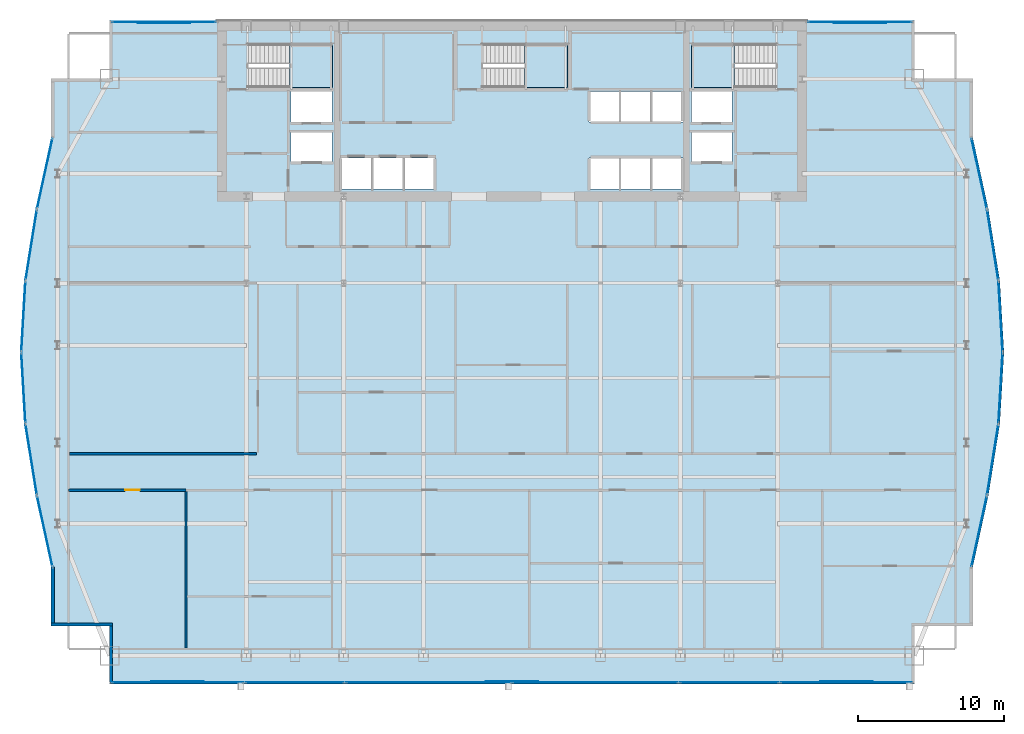
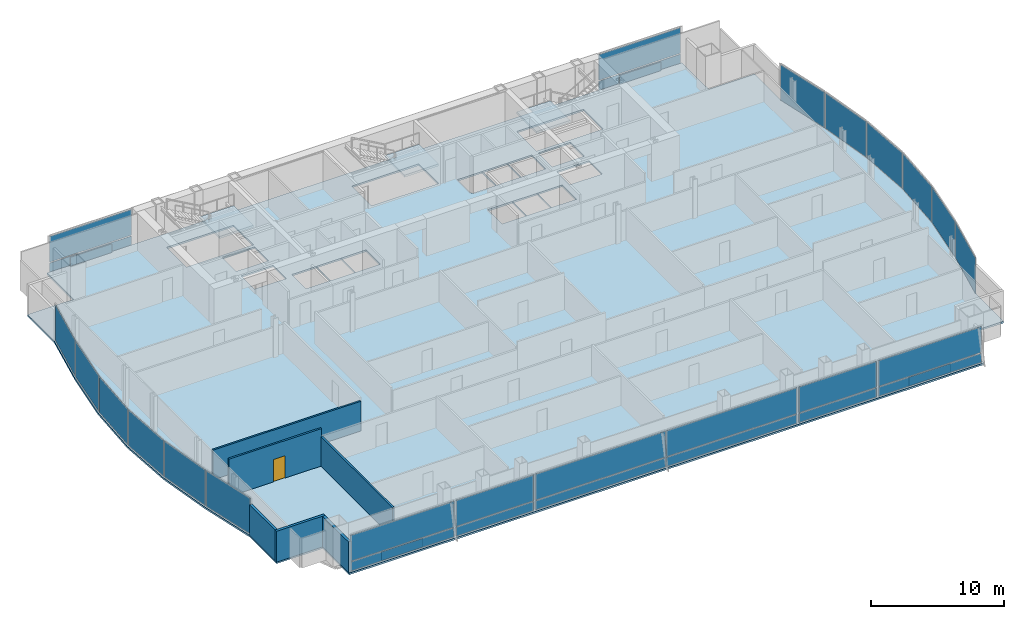
# One storey, part 23 of 29: 33 plates, 6 walls, 4 slabs, 1 door, 1 opening, 22 elements without a shape of their own.
"""IFC4 building model written with IfcOpenShell, lengths in metres."""

from ifc_helpers import new_model, si_unit, direction, frame, frame_2d, origin, origin_2d, place, context, subcontext, project, spatial, polyline, rectangle, outline, extrude, material, layer, layer_set, type_object, element, fill, aggregate, save


model = new_model("IFC4")

# Units and contexts
model_context = context("Model", 3, precision=1e-05, world=origin(), true_north=direction((0.0, 1.0)))
body_context = subcontext(model_context, "Body", "Model", "MODEL_VIEW")
ifc_project = project(units=[si_unit("LENGTHUNIT", "METRE"), si_unit("AREAUNIT", "SQUARE_METRE"), si_unit("VOLUMEUNIT", "CUBIC_METRE"), si_unit("PLANEANGLEUNIT", "RADIAN"), si_unit("MASSUNIT", "GRAM", prefix="KILO")], contexts=[model_context])

# Site, building, storey
site_placement = place(None, origin())
site = spatial("IfcSite", under=ifc_project, at=site_placement, CompositionType="ELEMENT")
building_placement = place(site_placement, origin())
building = spatial("IfcBuilding", under=site, at=building_placement, Name="Khoronbel Lancet Exchange", CompositionType="ELEMENT")
storey_placement = place(building_placement, frame((0.0, 0.0, 161.39990234375)))
storey = spatial("IfcBuildingStorey", under=building, at=storey_placement, Name="L40", CompositionType="ELEMENT", Elevation=161.39990234375)

# Curtain wall, plate
ifc_material_1 = material(Name="Low-E Solar Control Insulating Glass", Category="glass")
curtain_wall_type_1 = type_object("IfcCurtainWallType", Name="CW-4", PredefinedType="NOTDEFINED", material=ifc_material_1)
curtain_wall_1_placement = place(storey_placement, origin())
curtain_wall_1 = element("IfcCurtainWall", 1, at=curtain_wall_1_placement, inside=storey, type_object=curtain_wall_type_1, Name="Unitised curtain wall CW-L40-E05", PredefinedType="NOTDEFINED")
ifc_material_2 = material(Name="Bronze-Anodised Aluminium 6063-T6", Category="aluminium")
ifc_layer_1 = layer(ifc_material_2, 0.050048828125, Name="Bronze-Anodised Aluminium 6063-T6")
ifc_layer_set_1 = layer_set([ifc_layer_1], Name="Bronze-Anodised Aluminium 6063-T6")
plate_type_1 = type_object("IfcPlateType", Name="PLT-CSP1", PredefinedType="SHEET", material=ifc_layer_set_1)
plate_1_placement = place(storey_placement, frame((3.470458984375, 23.588134765625, 0.085205078125), z_axis=(0.0, 0.0, 1.0), x_axis=(-0.158058742835, 0.987429710822, 0.0)))
plate_1 = element("IfcPlate", 2, at=plate_1_placement, type_object=plate_type_1, Name="CW4 panel 1.1", PredefinedType="CURTAIN_PANEL", context=body_context, shape_type="SweptSolid", body=[
    extrude(rectangle(XDim=4.822265625, YDim=0.0380859375, at=origin_2d()), origin(), (0.0, 0.0, 1.0), 3.27001953125),
])
aggregate(curtain_wall_1, [plate_1])

curtain_wall_2_placement = place(storey_placement, origin())
curtain_wall_2 = element("IfcCurtainWall", 3, at=curtain_wall_2_placement, inside=storey, type_object=curtain_wall_type_1, Name="Unitised curtain wall CW-L40-E06", PredefinedType="NOTDEFINED")
plate_2_placement = place(storey_placement, frame((2.933837890625, 28.49658203125, 0.085205078125), z_axis=(0.0, 0.0, 1.0), x_axis=(-0.058470378441, 0.998289143908, 0.0)))
plate_2 = element("IfcPlate", 4, at=plate_2_placement, type_object=plate_type_1, Name="CW4 panel 1.1", PredefinedType="CURTAIN_PANEL", context=body_context, shape_type="SweptSolid", body=[
    extrude(rectangle(XDim=4.765380859375, YDim=0.0380859375, at=origin_2d()), origin(), (0.0, 0.0, 1.0), 3.27001953125),
])
aggregate(curtain_wall_2, [plate_2])

curtain_wall_3_placement = place(storey_placement, origin())
curtain_wall_3 = element("IfcCurtainWall", 5, at=curtain_wall_3_placement, inside=storey, type_object=curtain_wall_type_1, Name="Unitised curtain wall CW-L40-E07", PredefinedType="NOTDEFINED")
plate_3_placement = place(storey_placement, frame((2.933837890625, 33.403564453125, 0.085205078125), z_axis=(0.0, 0.0, 1.0), x_axis=(0.058470378441, 0.998289143908, 0.0)))
plate_3 = element("IfcPlate", 6, at=plate_3_placement, type_object=plate_type_1, Name="CW4 panel 1.1", PredefinedType="CURTAIN_PANEL", context=body_context, shape_type="SweptSolid", body=[
    extrude(rectangle(XDim=4.765380859375, YDim=0.0380859375, at=origin_2d()), origin(), (0.0, 0.0, 1.0), 3.27001953125),
])
aggregate(curtain_wall_3, [plate_3])

curtain_wall_4_placement = place(storey_placement, origin())
curtain_wall_4 = element("IfcCurtainWall", 7, at=curtain_wall_4_placement, inside=storey, type_object=curtain_wall_type_1, Name="Unitised curtain wall CW-L40-E08", PredefinedType="NOTDEFINED")
plate_4_placement = place(storey_placement, frame((3.470458984375, 38.311767578125, 0.085205078125), z_axis=(0.0, 0.0, 1.0), x_axis=(0.158058742835, 0.987429710822, 0.0)))
plate_4 = element("IfcPlate", 8, at=plate_4_placement, type_object=plate_type_1, Name="CW4 panel 1.1", PredefinedType="CURTAIN_PANEL", context=body_context, shape_type="SweptSolid", body=[
    extrude(rectangle(XDim=4.822265625, YDim=0.0380859375, at=origin_2d()), origin(), (0.0, 0.0, 1.0), 3.27001953125),
])
aggregate(curtain_wall_4, [plate_4])

curtain_wall_type_2 = type_object("IfcCurtainWallType", Name="CW-3", PredefinedType="NOTDEFINED", material=ifc_material_1)
curtain_wall_5_placement = place(storey_placement, origin())
curtain_wall_5 = element("IfcCurtainWall", 9, at=curtain_wall_5_placement, inside=storey, type_object=curtain_wall_type_2, Name="Unitised curtain wall CW-L40-NWFLK", PredefinedType="NOTDEFINED")
plate_5_placement = place(storey_placement, frame((12.580078125, 53.550048828125, 0.05029296875), z_axis=(0.0, 0.0, 1.0), x_axis=(-1.0, 0.0, 0.0)))
plate_5 = element("IfcPlate", 10, at=plate_5_placement, type_object=plate_type_1, Name="Insulated bronze spandrel cassette CW-L40-NWFLK", PredefinedType="SHEET", context=body_context, shape_type="SweptSolid", body=[
    extrude(rectangle(XDim=3.60009765625, YDim=0.050048828125, at=origin_2d()), origin(), (0.0, 0.0, 1.0), 0.800048828125),
])

curtain_wall_6_placement = place(storey_placement, origin())
curtain_wall_6 = element("IfcCurtainWall", 11, at=curtain_wall_6_placement, inside=storey, type_object=curtain_wall_type_2, Name="Unitised curtain wall CW-L40-NEFLK", PredefinedType="NOTDEFINED")
plate_6_placement = place(storey_placement, frame((60.320068359375, 53.550048828125, 0.05029296875), z_axis=(0.0, 0.0, 1.0), x_axis=(-1.0, 0.0, 0.0)))
plate_6 = element("IfcPlate", 12, at=plate_6_placement, type_object=plate_type_1, Name="Insulated bronze spandrel cassette CW-L40-NEFLK", PredefinedType="SHEET", context=body_context, shape_type="SweptSolid", body=[
    extrude(rectangle(XDim=3.60009765625, YDim=0.050048828125, at=origin_2d()), origin(), (0.0, 0.0, 1.0), 0.800048828125),
])

curtain_wall_7_placement = place(storey_placement, origin())
curtain_wall_7 = element("IfcCurtainWall", 13, at=curtain_wall_7_placement, inside=storey, type_object=curtain_wall_type_1, Name="Unitised curtain wall CW-L40-E18", PredefinedType="NOTDEFINED")
plate_7_placement = place(storey_placement, frame((69.429443359375, 38.311767578125, 0.085205078125), z_axis=(0.0, 0.0, 1.0), x_axis=(0.158058742835, -0.987429710822, 0.0)))
plate_7 = element("IfcPlate", 14, at=plate_7_placement, type_object=plate_type_1, Name="CW4 panel 1.1", PredefinedType="CURTAIN_PANEL", context=body_context, shape_type="SweptSolid", body=[
    extrude(rectangle(XDim=4.822265625, YDim=0.0380859375, at=origin_2d()), origin(), (0.0, 0.0, 1.0), 3.27001953125),
])
aggregate(curtain_wall_7, [plate_7])

curtain_wall_8_placement = place(storey_placement, origin())
curtain_wall_8 = element("IfcCurtainWall", 15, at=curtain_wall_8_placement, inside=storey, type_object=curtain_wall_type_1, Name="Unitised curtain wall CW-L40-E19", PredefinedType="NOTDEFINED")
plate_8_placement = place(storey_placement, frame((69.966064453125, 33.403564453125, 0.085205078125), z_axis=(0.0, 0.0, 1.0), x_axis=(0.058470378441, -0.998289143908, 0.0)))
plate_8 = element("IfcPlate", 16, at=plate_8_placement, type_object=plate_type_1, Name="CW4 panel 1.1", PredefinedType="CURTAIN_PANEL", context=body_context, shape_type="SweptSolid", body=[
    extrude(rectangle(XDim=4.765380859375, YDim=0.0380859375, at=origin_2d()), origin(), (0.0, 0.0, 1.0), 3.27001953125),
])
aggregate(curtain_wall_8, [plate_8])

curtain_wall_9_placement = place(storey_placement, origin())
curtain_wall_9 = element("IfcCurtainWall", 17, at=curtain_wall_9_placement, inside=storey, type_object=curtain_wall_type_1, Name="Unitised curtain wall CW-L40-E20", PredefinedType="NOTDEFINED")
plate_9_placement = place(storey_placement, frame((69.966064453125, 28.49658203125, 0.085205078125), z_axis=(0.0, 0.0, 1.0), x_axis=(-0.058470378441, -0.998289143908, 0.0)))
plate_9 = element("IfcPlate", 18, at=plate_9_placement, type_object=plate_type_1, Name="CW4 panel 1.1", PredefinedType="CURTAIN_PANEL", context=body_context, shape_type="SweptSolid", body=[
    extrude(rectangle(XDim=4.765380859375, YDim=0.0380859375, at=origin_2d()), origin(), (0.0, 0.0, 1.0), 3.27001953125),
])
aggregate(curtain_wall_9, [plate_9])

curtain_wall_10_placement = place(storey_placement, origin())
curtain_wall_10 = element("IfcCurtainWall", 19, at=curtain_wall_10_placement, inside=storey, type_object=curtain_wall_type_1, Name="Unitised curtain wall CW-L40-E21", PredefinedType="NOTDEFINED")
plate_10_placement = place(storey_placement, frame((69.429443359375, 23.588134765625, 0.085205078125), z_axis=(0.0, 0.0, 1.0), x_axis=(-0.158058742835, -0.987429710822, 0.0)))
plate_10 = element("IfcPlate", 20, at=plate_10_placement, type_object=plate_type_1, Name="CW4 panel 1.1", PredefinedType="CURTAIN_PANEL", context=body_context, shape_type="SweptSolid", body=[
    extrude(rectangle(XDim=4.822265625, YDim=0.0380859375, at=origin_2d()), origin(), (0.0, 0.0, 1.0), 3.27001953125),
])
aggregate(curtain_wall_10, [plate_10])

curtain_wall_11_placement = place(storey_placement, origin())
curtain_wall_11 = element("IfcCurtainWall", 21, at=curtain_wall_11_placement, inside=storey, type_object=curtain_wall_type_2, Name="Unitised curtain wall CW-L40-SWV", PredefinedType="NOTDEFINED")
plate_11_placement = place(storey_placement, frame((13.52001953125, 8.35009765625, 0.05029296875), z_axis=(0.0, 0.0, 1.0), x_axis=(1.0, 0.0, 0.0)))
plate_11 = element("IfcPlate", 22, at=plate_11_placement, type_object=plate_type_1, Name="Insulated bronze spandrel cassette CW-L40-SWV", PredefinedType="SHEET", context=body_context, shape_type="SweptSolid", body=[
    extrude(rectangle(XDim=3.60009765625, YDim=0.050048828125, at=origin_2d()), origin(), (0.0, 0.0, 1.0), 0.800048828125),
])

# Curtain wall, plates
curtain_wall_12_placement = place(storey_placement, origin())
curtain_wall_12 = element("IfcCurtainWall", 23, at=curtain_wall_12_placement, inside=storey, type_object=curtain_wall_type_2, Name="Unitised curtain wall CW-L40-SWB", PredefinedType="NOTDEFINED")
plate_12_placement = place(storey_placement, frame((21.550048828125, 8.2900390625, 0.0849609375), z_axis=(0.0, 0.0, 1.0), x_axis=(1.0, 0.0, 0.0)))
plate_12 = element("IfcPlate", 24, at=plate_12_placement, type_object=plate_type_1, Name="CW3 panel 1.1", PredefinedType="CURTAIN_PANEL", context=body_context, shape_type="SweptSolid", body=[
    extrude(rectangle(XDim=6.72998046875, YDim=0.0380859375, at=origin_2d()), origin(), (0.0, 0.0, 1.0), 0.822509765625),
])
plate_13_placement = place(storey_placement, frame((21.550048828125, 8.2900390625, 0.99267578125), z_axis=(0.0, 0.0, 1.0), x_axis=(1.0, 0.0, 0.0)))
plate_13 = element("IfcPlate", 25, at=plate_13_placement, type_object=plate_type_1, Name="CW3 panel 1.2", PredefinedType="CURTAIN_PANEL", context=body_context, shape_type="SweptSolid", body=[
    extrude(rectangle(XDim=6.72998046875, YDim=0.0380859375, at=origin_2d()), origin(), (0.0, 0.0, 1.0), 2.362548828125),
])
aggregate(curtain_wall_12, [plate_12, plate_13])

# Curtain wall, plate
curtain_wall_13_placement = place(storey_placement, origin())
curtain_wall_13 = element("IfcCurtainWall", 26, at=curtain_wall_13_placement, inside=storey, type_object=curtain_wall_type_2, Name="Unitised curtain wall CW-L40-SCV", PredefinedType="NOTDEFINED")
plate_14_placement = place(storey_placement, frame((36.449951171875, 8.35009765625, 0.05029296875), z_axis=(0.0, 0.0, 1.0), x_axis=(1.0, 0.0, 0.0)))
plate_14 = element("IfcPlate", 27, at=plate_14_placement, type_object=plate_type_1, Name="Insulated bronze spandrel cassette CW-L40-SCV", PredefinedType="SHEET", context=body_context, shape_type="SweptSolid", body=[
    extrude(rectangle(XDim=3.60009765625, YDim=0.050048828125, at=origin_2d()), origin(), (0.0, 0.0, 1.0), 0.800048828125),
])

# Curtain wall, plates
curtain_wall_14_placement = place(storey_placement, origin())
curtain_wall_14 = element("IfcCurtainWall", 28, at=curtain_wall_14_placement, inside=storey, type_object=curtain_wall_type_2, Name="Unitised curtain wall CW-L40-SEB", PredefinedType="NOTDEFINED")
plate_15_placement = place(storey_placement, frame((51.35009765625, 8.2900390625, 0.0849609375), z_axis=(0.0, 0.0, 1.0), x_axis=(1.0, 0.0, 0.0)))
plate_15 = element("IfcPlate", 29, at=plate_15_placement, type_object=plate_type_1, Name="CW3 panel 1.1", PredefinedType="CURTAIN_PANEL", context=body_context, shape_type="SweptSolid", body=[
    extrude(rectangle(XDim=6.72998046875, YDim=0.0380859375, at=origin_2d()), origin(), (0.0, 0.0, 1.0), 0.822509765625),
])
plate_16_placement = place(storey_placement, frame((51.35009765625, 8.2900390625, 0.99267578125), z_axis=(0.0, 0.0, 1.0), x_axis=(1.0, 0.0, 0.0)))
plate_16 = element("IfcPlate", 30, at=plate_16_placement, type_object=plate_type_1, Name="CW3 panel 1.2", PredefinedType="CURTAIN_PANEL", context=body_context, shape_type="SweptSolid", body=[
    extrude(rectangle(XDim=6.72998046875, YDim=0.0380859375, at=origin_2d()), origin(), (0.0, 0.0, 1.0), 2.362548828125),
])
aggregate(curtain_wall_14, [plate_15, plate_16])

# Curtain wall, plate
curtain_wall_15_placement = place(storey_placement, origin())
curtain_wall_15 = element("IfcCurtainWall", 31, at=curtain_wall_15_placement, inside=storey, type_object=curtain_wall_type_2, Name="Unitised curtain wall CW-L40-SEV", PredefinedType="NOTDEFINED")
plate_17_placement = place(storey_placement, frame((59.3798828125, 8.35009765625, 0.05029296875), z_axis=(0.0, 0.0, 1.0), x_axis=(1.0, 0.0, 0.0)))
plate_17 = element("IfcPlate", 32, at=plate_17_placement, type_object=plate_type_1, Name="Insulated bronze spandrel cassette CW-L40-SEV", PredefinedType="SHEET", context=body_context, shape_type="SweptSolid", body=[
    extrude(rectangle(XDim=3.60009765625, YDim=0.050048828125, at=origin_2d()), origin(), (0.0, 0.0, 1.0), 0.800048828125),
])

# Plate
ifc_layer_2 = layer(ifc_material_1, 0.035888671875, Name="Low-E Solar Control Insulating Glass")
ifc_layer_set_2 = layer_set([ifc_layer_2], Name="Low-E Solar Control Insulating Glass")
plate_type_2 = type_object("IfcPlateType", Name="PLT-CWP1", PredefinedType="CURTAIN_PANEL", material=ifc_layer_set_2)
plate_18_placement = place(storey_placement, frame((12.580078125, 53.610107421875, 0.0849609375), z_axis=(0.0, 0.0, 1.0), x_axis=(-1.0, 0.0, 0.0)))
plate_18 = element("IfcPlate", 33, at=plate_18_placement, type_object=plate_type_2, Name="CW3 panel 1.1", PredefinedType="CURTAIN_PANEL", context=body_context, shape_type="SweptSolid", body=[
    extrude(rectangle(XDim=7.110107421875, YDim=0.0380859375, at=origin_2d()), origin(), (0.0, 0.0, 1.0), 0.822509765625),
])

plate_19_placement = place(storey_placement, frame((12.580078125, 53.610107421875, 0.99267578125), z_axis=(0.0, 0.0, 1.0), x_axis=(-1.0, 0.0, 0.0)))
plate_19 = element("IfcPlate", 34, at=plate_19_placement, type_object=plate_type_2, Name="CW3 panel 1.2", PredefinedType="CURTAIN_PANEL", context=body_context, shape_type="SweptSolid", body=[
    extrude(rectangle(XDim=7.110107421875, YDim=0.0380859375, at=origin_2d()), origin(), (0.0, 0.0, 1.0), 2.362548828125),
])

aggregate(curtain_wall_5, [plate_18, plate_19, plate_5])

plate_20_placement = place(storey_placement, frame((60.320068359375, 53.610107421875, 0.0849609375), z_axis=(0.0, 0.0, 1.0), x_axis=(-1.0, 0.0, 0.0)))
plate_20 = element("IfcPlate", 35, at=plate_20_placement, type_object=plate_type_2, Name="CW3 panel 1.1", PredefinedType="CURTAIN_PANEL", context=body_context, shape_type="SweptSolid", body=[
    extrude(rectangle(XDim=7.110107421875, YDim=0.0380859375, at=origin_2d()), origin(), (0.0, 0.0, 1.0), 0.822509765625),
])

plate_21_placement = place(storey_placement, frame((60.320068359375, 53.610107421875, 0.99267578125), z_axis=(0.0, 0.0, 1.0), x_axis=(-1.0, 0.0, 0.0)))
plate_21 = element("IfcPlate", 36, at=plate_21_placement, type_object=plate_type_2, Name="CW3 panel 1.2", PredefinedType="CURTAIN_PANEL", context=body_context, shape_type="SweptSolid", body=[
    extrude(rectangle(XDim=7.110107421875, YDim=0.0380859375, at=origin_2d()), origin(), (0.0, 0.0, 1.0), 2.362548828125),
])

aggregate(curtain_wall_6, [plate_20, plate_21, plate_6])

plate_22_placement = place(storey_placement, frame((13.52001953125, 8.2900390625, 0.0849609375), z_axis=(0.0, 0.0, 1.0), x_axis=(1.0, 0.0, 0.0)))
plate_22 = element("IfcPlate", 37, at=plate_22_placement, type_object=plate_type_2, Name="CW3 panel 1.1", PredefinedType="CURTAIN_PANEL", context=body_context, shape_type="SweptSolid", body=[
    extrude(rectangle(XDim=8.989990234375, YDim=0.0380859375, at=origin_2d()), origin(), (0.0, 0.0, 1.0), 0.822509765625),
])

plate_23_placement = place(storey_placement, frame((13.52001953125, 8.2900390625, 0.99267578125), z_axis=(0.0, 0.0, 1.0), x_axis=(1.0, 0.0, 0.0)))
plate_23 = element("IfcPlate", 38, at=plate_23_placement, type_object=plate_type_2, Name="CW3 panel 1.2", PredefinedType="CURTAIN_PANEL", context=body_context, shape_type="SweptSolid", body=[
    extrude(rectangle(XDim=8.989990234375, YDim=0.0380859375, at=origin_2d()), origin(), (0.0, 0.0, 1.0), 2.362548828125),
])

aggregate(curtain_wall_11, [plate_22, plate_23, plate_11])

plate_24_placement = place(storey_placement, frame((30.746337890625, 8.2900390625, 0.0849609375), z_axis=(0.0, 0.0, 1.0), x_axis=(1.0, 0.0, 0.0)))
plate_24 = element("IfcPlate", 39, at=plate_24_placement, type_object=plate_type_2, Name="CW3 panel 1.1", PredefinedType="CURTAIN_PANEL", context=body_context, shape_type="SweptSolid", body=[
    extrude(rectangle(XDim=11.322509765625, YDim=0.0380859375, at=origin_2d()), origin(), (0.0, 0.0, 1.0), 0.822509765625),
])

plate_25_placement = place(storey_placement, frame((30.746337890625, 8.2900390625, 0.99267578125), z_axis=(0.0, 0.0, 1.0), x_axis=(1.0, 0.0, 0.0)))
plate_25 = element("IfcPlate", 40, at=plate_25_placement, type_object=plate_type_2, Name="CW3 panel 1.2", PredefinedType="CURTAIN_PANEL", context=body_context, shape_type="SweptSolid", body=[
    extrude(rectangle(XDim=11.322509765625, YDim=0.0380859375, at=origin_2d()), origin(), (0.0, 0.0, 1.0), 2.362548828125),
])

plate_26_placement = place(storey_placement, frame((42.15380859375, 8.2900390625, 0.0849609375), z_axis=(0.0, 0.0, 1.0), x_axis=(1.0, 0.0, 0.0)))
plate_26 = element("IfcPlate", 41, at=plate_26_placement, type_object=plate_type_2, Name="CW3 panel 2.1", PredefinedType="CURTAIN_PANEL", context=body_context, shape_type="SweptSolid", body=[
    extrude(rectangle(XDim=11.322509765625, YDim=0.0380859375, at=origin_2d()), origin(), (0.0, 0.0, 1.0), 0.822509765625),
])

plate_27_placement = place(storey_placement, frame((42.15380859375, 8.2900390625, 0.99267578125), z_axis=(0.0, 0.0, 1.0), x_axis=(1.0, 0.0, 0.0)))
plate_27 = element("IfcPlate", 42, at=plate_27_placement, type_object=plate_type_2, Name="CW3 panel 2.2", PredefinedType="CURTAIN_PANEL", context=body_context, shape_type="SweptSolid", body=[
    extrude(rectangle(XDim=11.322509765625, YDim=0.0380859375, at=origin_2d()), origin(), (0.0, 0.0, 1.0), 2.362548828125),
])

aggregate(curtain_wall_13, [plate_24, plate_25, plate_26, plate_27, plate_14])

plate_28_placement = place(storey_placement, frame((59.3798828125, 8.2900390625, 0.0849609375), z_axis=(0.0, 0.0, 1.0), x_axis=(1.0, 0.0, 0.0)))
plate_28 = element("IfcPlate", 43, at=plate_28_placement, type_object=plate_type_2, Name="CW3 panel 1.1", PredefinedType="CURTAIN_PANEL", context=body_context, shape_type="SweptSolid", body=[
    extrude(rectangle(XDim=8.989990234375, YDim=0.0380859375, at=origin_2d()), origin(), (0.0, 0.0, 1.0), 0.822509765625),
])

plate_29_placement = place(storey_placement, frame((59.3798828125, 8.2900390625, 0.99267578125), z_axis=(0.0, 0.0, 1.0), x_axis=(1.0, 0.0, 0.0)))
plate_29 = element("IfcPlate", 44, at=plate_29_placement, type_object=plate_type_2, Name="CW3 panel 1.2", PredefinedType="CURTAIN_PANEL", context=body_context, shape_type="SweptSolid", body=[
    extrude(rectangle(XDim=8.989990234375, YDim=0.0380859375, at=origin_2d()), origin(), (0.0, 0.0, 1.0), 2.362548828125),
])

aggregate(curtain_wall_15, [plate_28, plate_29, plate_17])

# Curtain wall, plate
curtain_wall_16_placement = place(storey_placement, origin())
curtain_wall_16 = element("IfcCurtainWall", 45, at=curtain_wall_16_placement, inside=storey, type_object=curtain_wall_type_1, Name="Unitised curtain wall CW-L40-E04", PredefinedType="NOTDEFINED")
ifc_material_3 = material(Name="Ceramic-Fritted Laminated Insulating Glass", Category="glass")
ifc_layer_3 = layer(ifc_material_3, 0.0419921875, Name="Ceramic-Fritted Laminated Insulating Glass")
ifc_layer_set_3 = layer_set([ifc_layer_3], Name="Ceramic-Fritted Laminated Insulating Glass")
plate_type_3 = type_object("IfcPlateType", Name="PLT-CWP2", PredefinedType="CURTAIN_PANEL", material=ifc_layer_set_3)
plate_30_placement = place(storey_placement, frame((4.40185546875, 18.671630859375, 0.085205078125), z_axis=(0.0, 0.0, 1.0), x_axis=(-0.213590958982, 0.976923181341, 0.0)))
plate_30 = element("IfcPlate", 46, at=plate_30_placement, type_object=plate_type_3, Name="CW4 panel 1.1", PredefinedType="CURTAIN_PANEL", context=body_context, shape_type="SweptSolid", body=[
    extrude(rectangle(XDim=4.889892578125, YDim=0.0380859375, at=origin_2d()), origin(), (0.0, 0.0, 1.0), 3.27001953125),
])
aggregate(curtain_wall_16, [plate_30])

curtain_wall_17_placement = place(storey_placement, origin())
curtain_wall_17 = element("IfcCurtainWall", 47, at=curtain_wall_17_placement, inside=storey, type_object=curtain_wall_type_1, Name="Unitised curtain wall CW-L40-E09", PredefinedType="NOTDEFINED")
plate_31_placement = place(storey_placement, frame((4.40185546875, 43.228515625, 0.085205078125), z_axis=(0.0, 0.0, 1.0), x_axis=(0.213590958982, 0.976923181341, 0.0)))
plate_31 = element("IfcPlate", 48, at=plate_31_placement, type_object=plate_type_3, Name="CW4 panel 1.1", PredefinedType="CURTAIN_PANEL", context=body_context, shape_type="SweptSolid", body=[
    extrude(rectangle(XDim=4.889892578125, YDim=0.0380859375, at=origin_2d()), origin(), (0.0, 0.0, 1.0), 3.27001953125),
])
aggregate(curtain_wall_17, [plate_31])

curtain_wall_18_placement = place(storey_placement, origin())
curtain_wall_18 = element("IfcCurtainWall", 49, at=curtain_wall_18_placement, inside=storey, type_object=curtain_wall_type_1, Name="Unitised curtain wall CW-L40-E17", PredefinedType="NOTDEFINED")
plate_32_placement = place(storey_placement, frame((68.498291015625, 43.228515625, 0.085205078125), z_axis=(0.0, 0.0, 1.0), x_axis=(0.213590958982, -0.976923181341, 0.0)))
plate_32 = element("IfcPlate", 50, at=plate_32_placement, type_object=plate_type_3, Name="CW4 panel 1.1", PredefinedType="CURTAIN_PANEL", context=body_context, shape_type="SweptSolid", body=[
    extrude(rectangle(XDim=4.889892578125, YDim=0.0380859375, at=origin_2d()), origin(), (0.0, 0.0, 1.0), 3.27001953125),
])
aggregate(curtain_wall_18, [plate_32])

curtain_wall_19_placement = place(storey_placement, origin())
curtain_wall_19 = element("IfcCurtainWall", 51, at=curtain_wall_19_placement, inside=storey, type_object=curtain_wall_type_1, Name="Unitised curtain wall CW-L40-E22", PredefinedType="NOTDEFINED")
plate_33_placement = place(storey_placement, frame((68.498291015625, 18.671630859375, 0.085205078125), z_axis=(0.0, 0.0, 1.0), x_axis=(-0.213590958982, -0.976923181341, 0.0)))
plate_33 = element("IfcPlate", 52, at=plate_33_placement, type_object=plate_type_3, Name="CW4 panel 1.1", PredefinedType="CURTAIN_PANEL", context=body_context, shape_type="SweptSolid", body=[
    extrude(rectangle(XDim=4.889892578125, YDim=0.0380859375, at=origin_2d()), origin(), (0.0, 0.0, 1.0), 3.27001953125),
])
aggregate(curtain_wall_19, [plate_33])

# Slab
ifc_material_4 = material(Name="Concrete C40/50", Category="concrete")
ifc_layer_4 = layer(ifc_material_4, 0.159912109375, Name="Concrete C40/50")
ifc_layer_set_4 = layer_set([ifc_layer_4], Name="Concrete C40/50")
slab_type_1 = type_object("IfcSlabType", Name="SL-FL160", PredefinedType="FLOOR", material=ifc_layer_set_4)
slab_1_placement = place(storey_placement, frame((0.0, 0.0, -0.159912109375)))
element("IfcSlab", 53, at=slab_1_placement, inside=storey, type_object=slab_type_1, Name="Level L40 composite structural floor slab", PredefinedType="FLOOR", context=body_context, shape_type="SweptSolid", body=[
    extrude(outline(polyline([(8.85009765625, 8.199951171875), (64.050048828125, 8.199951171875), (64.050048828125, 12.199951171875), (68.050048828125, 12.199951171875), (68.050048828125, 16.199951171875), (69.125, 21.11669921875), (69.912109375, 26.033203125), (70.199951171875, 30.949951171875), (69.912109375, 35.86669921875), (69.125, 40.783203125), (68.050048828125, 45.699951171875), (68.050048828125, 49.699951171875), (64.050048828125, 49.699951171875), (64.050048828125, 53.699951171875), (8.85009765625, 53.699951171875), (8.85009765625, 49.699951171875), (4.85009765625, 49.699951171875), (4.85009765625, 45.699951171875), (3.77490234375, 40.783203125), (2.988037109375, 35.86669921875), (2.699951171875, 30.949951171875), (2.988037109375, 26.033203125), (3.77490234375, 21.11669921875), (4.85009765625, 16.199951171875), (4.85009765625, 12.199951171875), (8.85009765625, 12.199951171875), (8.85009765625, 8.199951171875)]), holes=[polyline([(18.324951171875, 49.1201171875), (24.14990234375, 49.1201171875), (24.14990234375, 52.10009765625), (18.324951171875, 52.10009765625), (18.324951171875, 49.1201171875)]), polyline([(48.75, 49.1201171875), (54.574951171875, 49.1201171875), (54.574951171875, 52.10009765625), (48.75, 52.10009765625), (48.75, 49.1201171875)]), polyline([(34.425048828125, 49.1201171875), (40.25, 49.1201171875), (40.25, 52.10009765625), (34.425048828125, 52.10009765625), (34.425048828125, 49.1201171875)]), polyline([(24.699951171875, 42.14990234375), (26.840087890625, 42.14990234375), (26.840087890625, 44.300048828125), (24.699951171875, 44.300048828125), (24.699951171875, 42.14990234375)]), polyline([(26.860107421875, 42.14990234375), (29.0, 42.14990234375), (29.0, 44.300048828125), (26.860107421875, 44.300048828125), (26.860107421875, 42.14990234375)]), polyline([(29.02001953125, 42.14990234375), (31.159912109375, 42.14990234375), (31.159912109375, 44.300048828125), (29.02001953125, 44.300048828125), (29.02001953125, 42.14990234375)]), polyline([(41.739990234375, 46.75), (43.8798828125, 46.75), (43.8798828125, 48.85009765625), (41.739990234375, 48.85009765625), (41.739990234375, 46.75)]), polyline([(43.89990234375, 46.75), (46.0400390625, 46.75), (46.0400390625, 48.85009765625), (43.89990234375, 48.85009765625), (43.89990234375, 46.75)]), polyline([(46.06005859375, 46.75), (48.199951171875, 46.75), (48.199951171875, 48.85009765625), (46.06005859375, 48.85009765625), (46.06005859375, 46.75)]), polyline([(41.739990234375, 42.14990234375), (43.8798828125, 42.14990234375), (43.8798828125, 44.300048828125), (41.739990234375, 44.300048828125), (41.739990234375, 42.14990234375)]), polyline([(43.89990234375, 42.14990234375), (46.0400390625, 42.14990234375), (46.0400390625, 44.300048828125), (43.89990234375, 44.300048828125), (43.89990234375, 42.14990234375)]), polyline([(46.06005859375, 42.14990234375), (48.199951171875, 42.14990234375), (48.199951171875, 44.300048828125), (46.06005859375, 44.300048828125), (46.06005859375, 42.14990234375)]), polyline([(21.300048828125, 46.75), (24.10009765625, 46.75), (24.10009765625, 48.85009765625), (21.300048828125, 48.85009765625), (21.300048828125, 46.75)]), polyline([(48.75, 46.75), (51.550048828125, 46.75), (51.550048828125, 48.85009765625), (48.75, 48.85009765625), (48.75, 46.75)]), polyline([(21.300048828125, 44.050048828125), (24.10009765625, 44.050048828125), (24.10009765625, 46.050048828125), (21.300048828125, 46.050048828125), (21.300048828125, 44.050048828125)]), polyline([(48.75, 44.050048828125), (51.550048828125, 44.050048828125), (51.550048828125, 46.050048828125), (48.75, 46.050048828125), (48.75, 44.050048828125)])]), origin(), (0.0, 0.0, 1.0), 0.159912109375),
])

# Stair, slab
stair_type = type_object("IfcStairType", Name="STR-CORE150", PredefinedType="HALF_TURN_STAIR", material=ifc_material_4)
stair_1_placement = place(storey_placement, origin())
stair_1 = element("IfcStair", 54, at=stair_1_placement, inside=storey, type_object=stair_type, Name="L40 Protected Exit Stair ST1", PredefinedType="HALF_TURN_STAIR")
ifc_layer_5 = layer(ifc_material_4, 0.199951171875, Name="Concrete C40/50")
ifc_layer_set_5 = layer_set([ifc_layer_5], Name="Concrete C40/50")
slab_type_2 = type_object("IfcSlabType", Name="SL-LND180", PredefinedType="LANDING", material=ifc_layer_set_5)
slab_2_placement = place(storey_placement, frame((0.0, 0.0, 1.60009765625)))
slab_2 = element("IfcSlab", 55, at=slab_2_placement, type_object=slab_type_2, Name="ST1 landing 1", PredefinedType="LANDING", context=body_context, shape_type="SweptSolid", body=[
    extrude(outline(polyline([(21.199951171875, 49.1201171875), (24.14990234375, 49.1201171875), (24.14990234375, 52.10009765625), (21.199951171875, 52.10009765625), (21.199951171875, 49.1201171875)])), origin(), (0.0, 0.0, 1.0), 0.199951171875),
])
aggregate(stair_1, [slab_2])

stair_2_placement = place(storey_placement, origin())
stair_2 = element("IfcStair", 56, at=stair_2_placement, inside=storey, type_object=stair_type, Name="L40 Protected Exit Stair ST2", PredefinedType="HALF_TURN_STAIR")
slab_3_placement = place(storey_placement, frame((0.0, 0.0, 1.60009765625)))
slab_3 = element("IfcSlab", 57, at=slab_3_placement, type_object=slab_type_2, Name="ST2 landing 1", PredefinedType="LANDING", context=body_context, shape_type="SweptSolid", body=[
    extrude(outline(polyline([(51.699951171875, 52.10009765625), (48.75, 52.10009765625), (48.75, 49.1201171875), (51.699951171875, 49.1201171875), (51.699951171875, 52.10009765625)])), origin(), (0.0, 0.0, 1.0), 0.199951171875),
])
aggregate(stair_2, [slab_3])

stair_3_placement = place(storey_placement, origin())
stair_3 = element("IfcStair", 58, at=stair_3_placement, inside=storey, type_object=stair_type, Name="L40 Protected Exit Stair ST3", PredefinedType="HALF_TURN_STAIR")
slab_4_placement = place(storey_placement, frame((0.0, 0.0, 1.60009765625)))
slab_4 = element("IfcSlab", 59, at=slab_4_placement, type_object=slab_type_2, Name="ST3 landing 1", PredefinedType="LANDING", context=body_context, shape_type="SweptSolid", body=[
    extrude(outline(polyline([(37.300048828125, 49.1201171875), (40.25, 49.1201171875), (40.25, 52.10009765625), (37.300048828125, 52.10009765625), (37.300048828125, 49.1201171875)])), origin(), (0.0, 0.0, 1.0), 0.199951171875),
])
aggregate(stair_3, [slab_4])

# Walls
ifc_material_5 = material(Name="Precast concrete C40/50", Category="concrete")
ifc_layer_6 = layer(ifc_material_5, 0.25, Name="Precast concrete C40/50")
ifc_layer_set_6 = layer_set([ifc_layer_6], Name="Precast concrete C40/50")
wall_type_1 = type_object("IfcWallType", Name="WL-EXT250", PredefinedType="SOLIDWALL", material=ifc_layer_set_6)
wall_1_placement = place(storey_placement, frame((8.93994140625, 8.27001953125, 0.0), z_axis=(0.0, 0.0, 1.0), x_axis=(0.0, 1.0, 0.0)))
element("IfcWall", 60, at=wall_1_placement, inside=storey, type_object=wall_type_1, Name="Level L40 notched-corner limestone pier 01", PredefinedType="SOLIDWALL", context=body_context, shape_type="SweptSolid", body=[
    extrude(rectangle(XDim=3.909912109375, YDim=0.219970703125, at=frame_2d((1.955078125, 0.0))), origin(), (0.0, 0.0, 1.0), 2.830078125),
])
wall_2_placement = place(storey_placement, frame((9.050048828125, 12.2900390625, 0.0), z_axis=(0.0, 0.0, 1.0), x_axis=(-1.0, 0.0, 0.0)))
element("IfcWall", 61, at=wall_2_placement, inside=storey, type_object=wall_type_1, Name="Level L40 notched-corner limestone pier 02", PredefinedType="SOLIDWALL", context=body_context, shape_type="SweptSolid", body=[
    extrude(rectangle(XDim=4.219970703125, YDim=0.219970703125, at=frame_2d((2.10986328125, 0.0))), origin(), (0.0, 0.0, 1.0), 2.830078125),
])
wall_3_placement = place(storey_placement, frame((4.93994140625, 12.39990234375, 0.0), z_axis=(0.0, 0.0, 1.0), x_axis=(0.0, 1.0, 0.0)))
element("IfcWall", 62, at=wall_3_placement, inside=storey, type_object=wall_type_1, Name="Level L40 notched-corner limestone pier 03", PredefinedType="SOLIDWALL", context=body_context, shape_type="SweptSolid", body=[
    extrude(rectangle(XDim=3.829833984375, YDim=0.219970703125, at=frame_2d((1.9150390625, 0.0))), origin(), (0.0, 0.0, 1.0), 2.830078125),
])
ifc_material_6 = material(Name="Fire-Rated Twin-Stud Acoustic Gypsum Partition 150 mm", Category="gypsum")
ifc_layer_7 = layer(ifc_material_6, 0.14990234375, Name="Fire-Rated Twin-Stud Acoustic Gypsum Partition 150 mm")
ifc_layer_set_7 = layer_set([ifc_layer_7], Name="Fire-Rated Twin-Stud Acoustic Gypsum Partition 150 mm")
wall_type_2 = type_object("IfcWallType", Name="WL-PRT150C", PredefinedType="PARTITIONING", material=ifc_layer_set_7)
wall_4_placement = place(storey_placement, frame((14.0927734375, 10.6650390625, 0.0), z_axis=(0.0, 0.0, 1.0), x_axis=(0.0, 1.0, 0.0)))
element("IfcWall", 63, at=wall_4_placement, inside=storey, type_object=wall_type_2, Name="Level L40 interior partition PW-Z2S-V1", PredefinedType="PARTITIONING", context=body_context, shape_type="SweptSolid", body=[
    extrude(rectangle(XDim=10.75, YDim=0.14990234375, at=frame_2d((5.375, 0.0))), origin(), (0.0, 0.0, 1.0), 2.72998046875),
])
wall_5_placement = place(storey_placement, frame((6.094970703125, 24.0, 0.0), z_axis=(0.0, 0.0, 1.0), x_axis=(1.0, 0.0, 0.0)))
element("IfcWall", 64, at=wall_5_placement, inside=storey, type_object=wall_type_2, Name="Level L40 interior partition PW-Z2-WS", PredefinedType="PARTITIONING", context=body_context, shape_type="SweptSolid", body=[
    extrude(rectangle(XDim=12.844970703125, YDim=0.14990234375, at=frame_2d((6.42236328125, 0.0))), origin(), (0.0, 0.0, 1.0), 2.72998046875),
])

# Wall, opening, door
ifc_material_7 = material(Name="Fire-Rated Twin-Stud Acoustic Gypsum Partition 160 mm", Category="gypsum")
ifc_layer_8 = layer(ifc_material_7, 0.159912109375, Name="Fire-Rated Twin-Stud Acoustic Gypsum Partition 160 mm")
ifc_layer_set_8 = layer_set([ifc_layer_8], Name="Fire-Rated Twin-Stud Acoustic Gypsum Partition 160 mm")
wall_type_3 = type_object("IfcWallType", Name="WL-PRT160C", PredefinedType="PARTITIONING", material=ifc_layer_set_8)
wall_6_placement = place(storey_placement, frame((6.030029296875, 21.5, 0.0), z_axis=(0.0, 0.0, 1.0), x_axis=(1.0, 0.0, 0.0)))
wall_6 = element("IfcWall", 65, at=wall_6_placement, inside=storey, type_object=wall_type_3, Name="Level L40 interior partition PW-Z2S-COR1", PredefinedType="PARTITIONING", context=body_context, shape_type="SweptSolid", body=[
    extrude(rectangle(XDim=8.062744140625, YDim=0.159912109375, at=frame_2d((4.03125, 0.0))), origin(), (0.0, 0.0, 1.0), 3.440185546875),
])
opening_placement = place(wall_6_placement, frame((3.886474609375, 0.0, 0.0)))
opening = element("IfcOpeningElement", 66, at=opening_placement, cuts=wall_6, Name="Opening D2", PredefinedType="OPENING", context=body_context, shape_type="SweptSolid", body=[
    extrude(rectangle(XDim=1.0, YDim=2.050048828125, at=frame_2d((0.5, 1.02490234375))), frame((0.0, 0.08984375, 0.0), z_axis=(0.0, -1.0, 0.0), x_axis=(1.0, 0.0, 0.0)), (0.0, 0.0, 1.0), 0.179931640625),
])
ifc_material_8 = material(Name="Acoustic Veneered Timber & Bronze Frame Door", Category="wood")
door_type = type_object("IfcDoorType", Name="DR-D2", OperationType="NOTDEFINED", PredefinedType="DOOR", material=ifc_material_8)
door_placement = place(opening_placement, origin())
door = element("IfcDoor", 67, at=door_placement, inside=storey, type_object=door_type, Name="Z2S bay 1 door L40-1", OperationType="SINGLE_SWING_LEFT", OverallHeight=2.050048828125, OverallWidth=1.0, PredefinedType="DOOR", context=body_context, shape_type="SweptSolid", body=[
    extrude(rectangle(XDim=1.0, YDim=2.050048828125, at=frame_2d((0.5, 1.02490234375))), frame((0.0, 0.02490234375, 0.0), z_axis=(0.0, -1.0, 0.0), x_axis=(1.0, 0.0, 0.0)), (0.0, 0.0, 1.0), 0.050048828125),
])
fill(opening, door)

save(model, "model.ifc")
